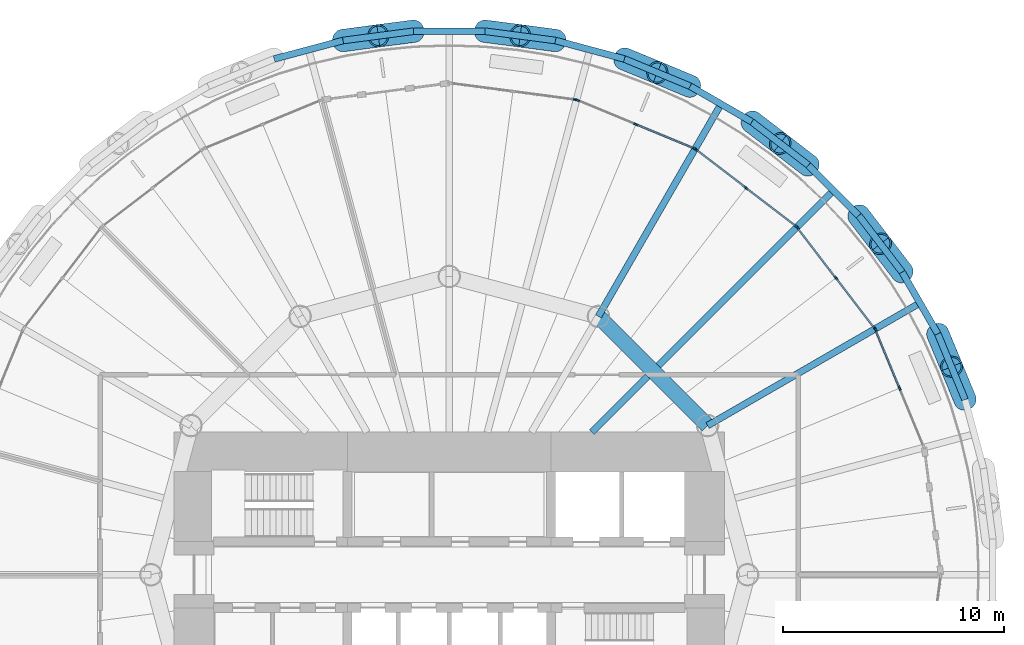
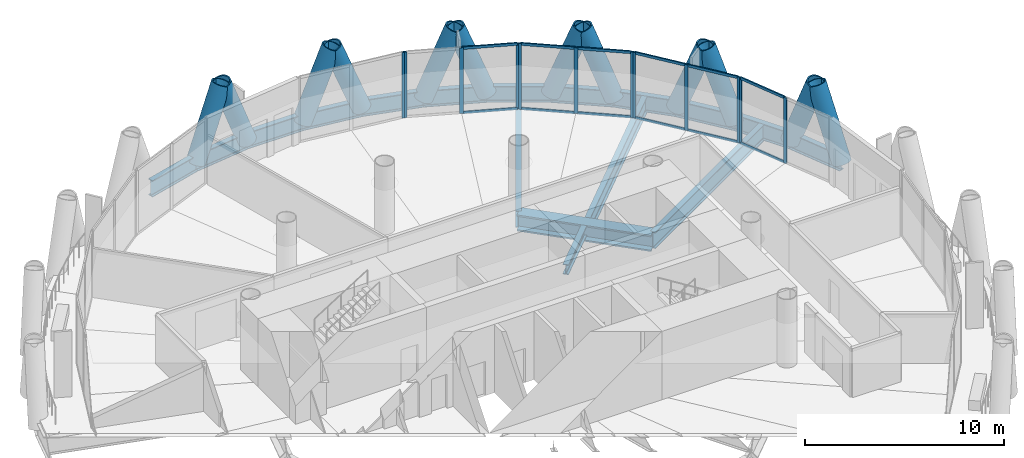
# One storey, part 7 of 15: 36 members, 17 beams, 5 elements without a shape of their own.
"""IFC4 building model written with IfcOpenShell, lengths in metres."""

from ifc_helpers import new_model, si_unit, direction, frame, origin, origin_2d, place, context, subcontext, project, spatial, rectangle, hollow_circle, i_section, extrude, material, material_profile, profile_set, type_object, element, aggregate, save


model = new_model("IFC4")

# Units and contexts
model_context = context("Model", 3, precision=1e-05, world=origin(), true_north=direction((0.0, 1.0)))
body_context = subcontext(model_context, "Body", "Model", "MODEL_VIEW")
ifc_project = project(units=[si_unit("LENGTHUNIT", "METRE"), si_unit("AREAUNIT", "SQUARE_METRE"), si_unit("VOLUMEUNIT", "CUBIC_METRE"), si_unit("PLANEANGLEUNIT", "RADIAN"), si_unit("MASSUNIT", "GRAM", prefix="KILO")], contexts=[model_context])

# Site, building, storey
site_placement = place(None, origin())
site = spatial("IfcSite", under=ifc_project, at=site_placement, CompositionType="ELEMENT")
building_placement = place(site_placement, origin())
building = spatial("IfcBuilding", under=site, at=building_placement, Name="Qaws Media Tower", CompositionType="ELEMENT")
storey_placement = place(building_placement, frame((0.0, 0.0, 164.60009765625)))
storey = spatial("IfcBuildingStorey", under=building, at=storey_placement, Name="L37", CompositionType="ELEMENT", Elevation=164.60009765625)

# Curtain wall, members
ifc_material_1 = material(Name="Aluminium and clear glass", Category="aluminium")
curtain_wall_type = type_object("IfcCurtainWallType", Name="Unitised curtain wall CW-B", PredefinedType="NOTDEFINED", material=ifc_material_1)
curtain_wall_1_placement = place(storey_placement, origin())
curtain_wall_1 = element("IfcCurtainWall", 1, at=curtain_wall_1_placement, inside=storey, type_object=curtain_wall_type, Name="CWB curtain wall L37-02", PredefinedType="NOTDEFINED")
ifc_material_2 = material(Name="Aluminium mullion", Category="aluminium")
ifc_material_profile_1 = material_profile(ifc_material_2, rectangle(XDim=0.080078125, YDim=0.199951171875, at=origin_2d()), Name="80x200")
ifc_profile_set_1 = profile_set([ifc_material_profile_1], Name="Aluminium mullion")
member_type_1 = type_object("IfcMemberType", Name="Curtain wall mullion 80x200", PredefinedType="MULLION", material=ifc_profile_set_1)
member_1_placement = place(storey_placement, frame((80.38037109375, 58.44189453125, 0.0), z_axis=(0.0, 0.0, 1.0), x_axis=(-0.923879489819, -0.382683535434, 0.0)))
member_1 = element("IfcMember", 2, at=member_1_placement, type_object=member_type_1, Name="CWB mullion 2", PredefinedType="MULLION", context=body_context, shape_type="SweptSolid", body=[
    extrude(rectangle(XDim=0.080078125, YDim=0.199951171875, at=origin_2d()), origin(), (0.0, 0.0, 1.0), 4.039794921875),
])
member_2_placement = place(storey_placement, frame((79.284423828125, 61.088134765625, 0.0), z_axis=(0.0, 0.0, 1.0), x_axis=(-0.923879489819, -0.382683535434, 0.0)))
member_2 = element("IfcMember", 3, at=member_2_placement, type_object=member_type_1, Name="CWB mullion 3", PredefinedType="MULLION", context=body_context, shape_type="SweptSolid", body=[
    extrude(rectangle(XDim=0.080078125, YDim=0.199951171875, at=origin_2d()), origin(), (0.0, 0.0, 1.0), 4.039794921875),
])

curtain_wall_2_placement = place(storey_placement, origin())
curtain_wall_2 = element("IfcCurtainWall", 4, at=curtain_wall_2_placement, inside=storey, type_object=curtain_wall_type, Name="CWB curtain wall L37-03", PredefinedType="NOTDEFINED")
member_3_placement = place(storey_placement, frame((79.24462890625, 61.15673828125, 0.0), z_axis=(0.0, 0.0, 1.0), x_axis=(-0.793353377191, -0.608761380919, 0.0)))
member_3 = element("IfcMember", 5, at=member_3_placement, type_object=member_type_1, Name="CWB mullion 1", PredefinedType="MULLION", context=body_context, shape_type="SweptSolid", body=[
    extrude(rectangle(XDim=0.080078125, YDim=0.199951171875, at=origin_2d()), origin(), (0.0, 0.0, 1.0), 4.039794921875),
])
member_4_placement = place(storey_placement, frame((77.5009765625, 63.428955078125, 0.0), z_axis=(0.0, 0.0, 1.0), x_axis=(-0.793353377191, -0.608761380919, 0.0)))
member_4 = element("IfcMember", 6, at=member_4_placement, type_object=member_type_1, Name="CWB mullion 2", PredefinedType="MULLION", context=body_context, shape_type="SweptSolid", body=[
    extrude(rectangle(XDim=0.080078125, YDim=0.199951171875, at=origin_2d()), origin(), (0.0, 0.0, 1.0), 4.039794921875),
])
member_5_placement = place(storey_placement, frame((75.757568359375, 65.701416015625, 0.0), z_axis=(0.0, 0.0, 1.0), x_axis=(-0.793353377191, -0.608761380919, 0.0)))
member_5 = element("IfcMember", 7, at=member_5_placement, type_object=member_type_1, Name="CWB mullion 3", PredefinedType="MULLION", context=body_context, shape_type="SweptSolid", body=[
    extrude(rectangle(XDim=0.080078125, YDim=0.199951171875, at=origin_2d()), origin(), (0.0, 0.0, 1.0), 4.039794921875),
])

curtain_wall_3_placement = place(storey_placement, origin())
curtain_wall_3 = element("IfcCurtainWall", 8, at=curtain_wall_3_placement, inside=storey, type_object=curtain_wall_type, Name="CWB curtain wall L37-04", PredefinedType="NOTDEFINED")
member_6_placement = place(storey_placement, frame((75.701416015625, 65.757568359375, 0.0), z_axis=(0.0, 0.0, 1.0), x_axis=(-0.608761380919, -0.793353377191, 0.0)))
member_6 = element("IfcMember", 9, at=member_6_placement, type_object=member_type_1, Name="CWB mullion 1", PredefinedType="MULLION", context=body_context, shape_type="SweptSolid", body=[
    extrude(rectangle(XDim=0.080078125, YDim=0.199951171875, at=origin_2d()), origin(), (0.0, 0.0, 1.0), 4.039794921875),
])
member_7_placement = place(storey_placement, frame((73.428955078125, 67.5009765625, 0.0), z_axis=(0.0, 0.0, 1.0), x_axis=(-0.608761380919, -0.793353377191, 0.0)))
member_7 = element("IfcMember", 10, at=member_7_placement, type_object=member_type_1, Name="CWB mullion 2", PredefinedType="MULLION", context=body_context, shape_type="SweptSolid", body=[
    extrude(rectangle(XDim=0.080078125, YDim=0.199951171875, at=origin_2d()), origin(), (0.0, 0.0, 1.0), 4.039794921875),
])
member_8_placement = place(storey_placement, frame((71.15673828125, 69.24462890625, 0.0), z_axis=(0.0, 0.0, 1.0), x_axis=(-0.608761380919, -0.793353377191, 0.0)))
member_8 = element("IfcMember", 11, at=member_8_placement, type_object=member_type_1, Name="CWB mullion 3", PredefinedType="MULLION", context=body_context, shape_type="SweptSolid", body=[
    extrude(rectangle(XDim=0.080078125, YDim=0.199951171875, at=origin_2d()), origin(), (0.0, 0.0, 1.0), 4.039794921875),
])

curtain_wall_4_placement = place(storey_placement, origin())
curtain_wall_4 = element("IfcCurtainWall", 12, at=curtain_wall_4_placement, inside=storey, type_object=curtain_wall_type, Name="CWB curtain wall L37-05", PredefinedType="NOTDEFINED")
member_9_placement = place(storey_placement, frame((71.088134765625, 69.284423828125, 0.0), z_axis=(0.0, 0.0, 1.0), x_axis=(-0.382683535434, -0.923879489819, 0.0)))
member_9 = element("IfcMember", 13, at=member_9_placement, type_object=member_type_1, Name="CWB mullion 1", PredefinedType="MULLION", context=body_context, shape_type="SweptSolid", body=[
    extrude(rectangle(XDim=0.080078125, YDim=0.199951171875, at=origin_2d()), origin(), (0.0, 0.0, 1.0), 4.039794921875),
])
member_10_placement = place(storey_placement, frame((68.44189453125, 70.38037109375, 0.0), z_axis=(0.0, 0.0, 1.0), x_axis=(-0.382683535434, -0.923879489819, 0.0)))
member_10 = element("IfcMember", 14, at=member_10_placement, type_object=member_type_1, Name="CWB mullion 2", PredefinedType="MULLION", context=body_context, shape_type="SweptSolid", body=[
    extrude(rectangle(XDim=0.080078125, YDim=0.199951171875, at=origin_2d()), origin(), (0.0, 0.0, 1.0), 4.039794921875),
])
member_11_placement = place(storey_placement, frame((65.795654296875, 71.4765625, 0.0), z_axis=(0.0, 0.0, 1.0), x_axis=(-0.382683535434, -0.923879489819, 0.0)))
member_11 = element("IfcMember", 15, at=member_11_placement, type_object=member_type_1, Name="CWB mullion 3", PredefinedType="MULLION", context=body_context, shape_type="SweptSolid", body=[
    extrude(rectangle(XDim=0.080078125, YDim=0.199951171875, at=origin_2d()), origin(), (0.0, 0.0, 1.0), 4.039794921875),
])

# Curtain wall, member
curtain_wall_5_placement = place(storey_placement, origin())
curtain_wall_5 = element("IfcCurtainWall", 16, at=curtain_wall_5_placement, inside=storey, type_object=curtain_wall_type, Name="CWB curtain wall L37-06", PredefinedType="NOTDEFINED")
member_12_placement = place(storey_placement, frame((65.718994140625, 71.4970703125, 0.0), z_axis=(0.0, 0.0, 1.0), x_axis=(-0.130526124942, -0.991444870231, 0.0)))
member_12 = element("IfcMember", 17, at=member_12_placement, type_object=member_type_1, Name="CWB mullion 1", PredefinedType="MULLION", context=body_context, shape_type="SweptSolid", body=[
    extrude(rectangle(XDim=0.080078125, YDim=0.199951171875, at=origin_2d()), origin(), (0.0, 0.0, 1.0), 4.039794921875),
])
aggregate(curtain_wall_5, [member_12])

# Member
ifc_material_3 = material(Name="Aluminium transom", Category="aluminium")
ifc_material_profile_2 = material_profile(ifc_material_3, rectangle(XDim=0.080078125, YDim=0.159912109375, at=origin_2d()), Name="80x160")
ifc_profile_set_2 = profile_set([ifc_material_profile_2], Name="Aluminium transom")
member_type_2 = type_object("IfcMemberType", Name="Curtain wall transom 80x160", PredefinedType="USERDEFINED", material=ifc_profile_set_2)
member_13_placement = place(storey_placement, frame((80.365234375, 58.478759765625, 0.039794921875), z_axis=(-0.382746742657, 0.923853305988, 0.0), x_axis=(-0.923853305988, -0.382746742657, 0.0)))
member_13 = element("IfcMember", 18, at=member_13_placement, type_object=member_type_2, Name="CWB transom 2.1", ObjectType="TRANSOM", PredefinedType="USERDEFINED", context=body_context, shape_type="SweptSolid", body=[
    extrude(rectangle(XDim=0.080078125, YDim=0.159912109375, at=origin_2d()), origin(), (0.0, 0.0, 1.0), 2.7841796875),
])

member_14_placement = place(storey_placement, frame((80.365234375, 58.478759765625, 4.0), z_axis=(-0.382746742657, 0.923853305988, 0.0), x_axis=(-0.923853305988, -0.382746742657, 0.0)))
member_14 = element("IfcMember", 19, at=member_14_placement, type_object=member_type_2, Name="CWB transom 2.2", ObjectType="TRANSOM", PredefinedType="USERDEFINED", context=body_context, shape_type="SweptSolid", body=[
    extrude(rectangle(XDim=0.080078125, YDim=0.159912109375, at=origin_2d()), origin(), (0.0, 0.0, 1.0), 2.7841796875),
])

aggregate(curtain_wall_1, [member_1, member_2, member_13, member_14])

member_15_placement = place(storey_placement, frame((79.220458984375, 61.1884765625, 0.039794921875), z_axis=(-0.608816218373, 0.793311295927, 0.0), x_axis=(-0.793311295927, -0.608816218373, 0.0)))
member_15 = element("IfcMember", 20, at=member_15_placement, type_object=member_type_2, Name="CWB transom 1.1", ObjectType="TRANSOM", PredefinedType="USERDEFINED", context=body_context, shape_type="SweptSolid", body=[
    extrude(rectangle(XDim=0.080078125, YDim=0.159912109375, at=origin_2d()), origin(), (0.0, 0.0, 1.0), 2.7841796875),
])

member_16_placement = place(storey_placement, frame((79.220458984375, 61.1884765625, 4.0), z_axis=(-0.608816218373, 0.793311295927, 0.0), x_axis=(-0.793311295927, -0.608816218373, 0.0)))
member_16 = element("IfcMember", 21, at=member_16_placement, type_object=member_type_2, Name="CWB transom 1.2", ObjectType="TRANSOM", PredefinedType="USERDEFINED", context=body_context, shape_type="SweptSolid", body=[
    extrude(rectangle(XDim=0.080078125, YDim=0.159912109375, at=origin_2d()), origin(), (0.0, 0.0, 1.0), 2.7841796875),
])

member_17_placement = place(storey_placement, frame((77.476806640625, 63.460693359375, 0.039794921875), z_axis=(-0.608773868942, 0.79334379464, 0.0), x_axis=(-0.79334379464, -0.608773868942, 0.0)))
member_17 = element("IfcMember", 22, at=member_17_placement, type_object=member_type_2, Name="CWB transom 2.1", ObjectType="TRANSOM", PredefinedType="USERDEFINED", context=body_context, shape_type="SweptSolid", body=[
    extrude(rectangle(XDim=0.080078125, YDim=0.159912109375, at=origin_2d()), origin(), (0.0, 0.0, 1.0), 2.784423828125),
])

member_18_placement = place(storey_placement, frame((77.476806640625, 63.460693359375, 4.0), z_axis=(-0.608773868942, 0.79334379464, 0.0), x_axis=(-0.79334379464, -0.608773868942, 0.0)))
member_18 = element("IfcMember", 23, at=member_18_placement, type_object=member_type_2, Name="CWB transom 2.2", ObjectType="TRANSOM", PredefinedType="USERDEFINED", context=body_context, shape_type="SweptSolid", body=[
    extrude(rectangle(XDim=0.080078125, YDim=0.159912109375, at=origin_2d()), origin(), (0.0, 0.0, 1.0), 2.784423828125),
])

aggregate(curtain_wall_2, [member_3, member_4, member_5, member_15, member_16, member_17, member_18])

member_19_placement = place(storey_placement, frame((75.669677734375, 65.78173828125, 0.039794921875), z_axis=(-0.79334379464, 0.608773868942, 0.0), x_axis=(-0.608773868942, -0.79334379464, 0.0)))
member_19 = element("IfcMember", 24, at=member_19_placement, type_object=member_type_2, Name="CWB transom 1.1", ObjectType="TRANSOM", PredefinedType="USERDEFINED", context=body_context, shape_type="SweptSolid", body=[
    extrude(rectangle(XDim=0.080078125, YDim=0.159912109375, at=origin_2d()), origin(), (0.0, 0.0, 1.0), 2.784423828125),
])

member_20_placement = place(storey_placement, frame((75.669677734375, 65.78173828125, 4.0), z_axis=(-0.79334379464, 0.608773868942, 0.0), x_axis=(-0.608773868942, -0.79334379464, 0.0)))
member_20 = element("IfcMember", 25, at=member_20_placement, type_object=member_type_2, Name="CWB transom 1.2", ObjectType="TRANSOM", PredefinedType="USERDEFINED", context=body_context, shape_type="SweptSolid", body=[
    extrude(rectangle(XDim=0.080078125, YDim=0.159912109375, at=origin_2d()), origin(), (0.0, 0.0, 1.0), 2.784423828125),
])

member_21_placement = place(storey_placement, frame((73.397216796875, 67.525390625, 0.039794921875), z_axis=(-0.793311295927, 0.608816218373, 0.0), x_axis=(-0.608816218373, -0.793311295927, 0.0)))
member_21 = element("IfcMember", 26, at=member_21_placement, type_object=member_type_2, Name="CWB transom 2.1", ObjectType="TRANSOM", PredefinedType="USERDEFINED", context=body_context, shape_type="SweptSolid", body=[
    extrude(rectangle(XDim=0.080078125, YDim=0.159912109375, at=origin_2d()), origin(), (0.0, 0.0, 1.0), 2.7841796875),
])

member_22_placement = place(storey_placement, frame((73.397216796875, 67.525390625, 4.0), z_axis=(-0.793311295927, 0.608816218373, 0.0), x_axis=(-0.608816218373, -0.793311295927, 0.0)))
member_22 = element("IfcMember", 27, at=member_22_placement, type_object=member_type_2, Name="CWB transom 2.2", ObjectType="TRANSOM", PredefinedType="USERDEFINED", context=body_context, shape_type="SweptSolid", body=[
    extrude(rectangle(XDim=0.080078125, YDim=0.159912109375, at=origin_2d()), origin(), (0.0, 0.0, 1.0), 2.7841796875),
])

aggregate(curtain_wall_3, [member_6, member_7, member_8, member_19, member_20, member_21, member_22])

member_23_placement = place(storey_placement, frame((71.051025390625, 69.299560546875, 0.039794921875), z_axis=(-0.923853305988, 0.382746742657, 0.0), x_axis=(-0.382746742657, -0.923853305988, 0.0)))
member_23 = element("IfcMember", 28, at=member_23_placement, type_object=member_type_2, Name="CWB transom 1.1", ObjectType="TRANSOM", PredefinedType="USERDEFINED", context=body_context, shape_type="SweptSolid", body=[
    extrude(rectangle(XDim=0.080078125, YDim=0.159912109375, at=origin_2d()), origin(), (0.0, 0.0, 1.0), 2.7841796875),
])

member_24_placement = place(storey_placement, frame((71.051025390625, 69.299560546875, 4.0), z_axis=(-0.923853305988, 0.382746742657, 0.0), x_axis=(-0.382746742657, -0.923853305988, 0.0)))
member_24 = element("IfcMember", 29, at=member_24_placement, type_object=member_type_2, Name="CWB transom 1.2", ObjectType="TRANSOM", PredefinedType="USERDEFINED", context=body_context, shape_type="SweptSolid", body=[
    extrude(rectangle(XDim=0.080078125, YDim=0.159912109375, at=origin_2d()), origin(), (0.0, 0.0, 1.0), 2.7841796875),
])

aggregate(curtain_wall_4, [member_9, member_10, member_11, member_23, member_24])

# Members
ifc_material_4 = material(Name="Steel S460", Category="steel")
ifc_material_profile_3 = material_profile(ifc_material_4, hollow_circle(Radius=0.508056640625, WallThickness=0.070068359375, at=origin_2d()), Name="CHS 1016x70")
ifc_profile_set_3 = profile_set([ifc_material_profile_3], Name="Steel S460")
member_type_3 = type_object("IfcMemberType", Name="Diagrid member CHS 1016x70", PredefinedType="USERDEFINED", material=ifc_profile_set_3)
for number, where, z_axis, x_axis, name in (
    (30, (83.341796875, 57.923583984375, -0.6640625), (-0.136540752856, 0.3313121209, 0.933589257304), (-0.924562008654, -0.381031615688, 0.0), "DG3 diagrid L37 A02"),
    (31, (80.49560546875, 63.69482421875, -0.6640625), (-0.21761882159, 0.28469534615, 0.933590171526), (-0.794478179438, -0.607292699113, 0.0), "DG3 diagrid L37 A03"),
    (32, (82.10791015625, 60.90234375, -0.6640625), (0.137734390717, -0.330823028294, 0.933587361506), (0.923184419081, 0.38435729259, 0.0), "DG3 diagrid L37 B03"),
    (33, (76.2529296875, 68.532958984375, -0.6640625), (-0.283933050557, 0.218647985607, 0.933581855646), (-0.610127823764, -0.792302996756, 0.0), "DG3 diagrid L37 A04"),
    (34, (78.532958984375, 66.2529296875, -0.6640625), (0.218647985607, -0.283933050557, 0.933581855646), (0.792302996756, 0.610127823764, 0.0), "DG3 diagrid L37 B04"),
    (35, (70.90234375, 72.10791015625, -0.6640625), (-0.330823028294, 0.137734390717, 0.933587361506), (-0.38435729259, -0.923184419081, 0.0), "DG3 diagrid L37 A05"),
    (36, (73.69482421875, 70.49560546875, -0.6640625), (0.28469534615, -0.21761882159, 0.933590171526), (0.607292699113, 0.794478179438, 0.0), "DG3 diagrid L37 B05"),
    (37, (64.80908203125, 74.17626953125, -0.6640625), (-0.355238091749, 0.047430200457, 0.933571783129), (-0.132342249656, -0.991204080377, 0.0), "DG3 diagrid L37 A06"),
    (38, (67.923583984375, 73.341796875, -0.6640625), (0.3313121209, -0.136540752856, 0.933589257304), (0.381031615688, 0.924562008654, 0.0), "DG3 diagrid L37 B06"),
    (39, (58.3876953125, 74.59716796875, -0.6640625), (-0.355354575065, -0.046128800978, 0.933592662621), (0.128730553852, -0.991679607789, 0.0), "DG3 diagrid L37 A07"),
    (40, (61.6123046875, 74.59716796875, -0.6640625), (0.355354575065, -0.046128800978, 0.933592662621), (0.128730553852, 0.991679607789, 0.0), "DG3 diagrid L37 B07"),
    (41, (55.19091796875, 74.17626953125, -0.6640625), (0.355238091749, 0.047430200457, 0.933571783129), (-0.132342249656, 0.991204080377, 0.0), "DG3 diagrid L37 B08"),
):
    element("IfcMember", number, at=place(storey_placement, frame(where, z_axis=z_axis, x_axis=x_axis)), inside=storey, type_object=member_type_3, Name=name, ObjectType="DIAGRID", PredefinedType="USERDEFINED", context=body_context, shape_type="SweptSolid", body=[
        extrude(hollow_circle(Radius=0.508056640625, WallThickness=0.070068359375, at=origin_2d()), origin(), (0.0, 0.0, 1.0), 4.498779296875),
    ])

# Beams
ifc_material_5 = material(Name="Steel S460", Category="steel")
ifc_material_profile_4 = material_profile(ifc_material_5, i_section(OverallWidth=0.302001953125, OverallDepth=1.008056640625, WebThickness=0.02099609375, FlangeThickness=0.0400390625, FilletRadius=0.030029296875, at=origin_2d()), Name="HE 1000 M")
ifc_profile_set_4 = profile_set([ifc_material_profile_4], Name="Steel S460")
beam_type_1 = type_object("IfcBeamType", Name="Edge ring beam HE 1000 M", PredefinedType="BEAM", material=ifc_profile_set_4)
beam_1_placement = place(storey_placement, frame((83.341796875, 57.923583984375, -0.6640625), z_axis=(-0.382695087151, 0.923874704855, 0.0), x_axis=(-0.923874704855, -0.382695087151, 0.0)))
element("IfcBeam", 42, at=beam_1_placement, inside=storey, type_object=beam_type_1, Name="RB3 edge ring beam L37-03", PredefinedType="BEAM", context=body_context, shape_type="SweptSolid", body=[
    extrude(i_section(OverallWidth=0.302001953125, OverallDepth=1.008056640625, WebThickness=0.02099609375, FlangeThickness=0.0400390625, FilletRadius=0.030029296875, at=origin_2d()), origin(), (0.0, 0.0, 1.0), 3.22412109375),
])
beam_2_placement = place(storey_placement, frame((82.10791015625, 60.90234375, -0.6640625), z_axis=(-0.500015196914, 0.866016629664, 0.0), x_axis=(-0.866016629664, -0.500015196914, 0.0)))
element("IfcBeam", 43, at=beam_2_placement, inside=storey, type_object=beam_type_1, Name="RB3 edge ring beam L37-04", PredefinedType="BEAM", context=body_context, shape_type="SweptSolid", body=[
    extrude(i_section(OverallWidth=0.302001953125, OverallDepth=1.008056640625, WebThickness=0.02099609375, FlangeThickness=0.0400390625, FilletRadius=0.030029296875, at=origin_2d()), origin(), (0.0, 0.0, 1.0), 3.224609375),
])
for number, where, z_axis, x_axis, name in (
    (44, (80.49560546875, 63.69482421875, -0.6640625), (-0.608711282209, 0.793391816766, 0.0), (-0.793391816766, -0.608711282209, 0.0), "RB3 edge ring beam L37-05"),
    (45, (78.532958984375, 66.2529296875, -0.6640625), (-0.707106781187, 0.707106781187, 0.0), (-0.707106781187, -0.707106781187, 0.0), "RB3 edge ring beam L37-06"),
    (46, (76.2529296875, 68.532958984375, -0.6640625), (-0.793391816766, 0.608711282209, 0.0), (-0.608711282209, -0.793391816766, 0.0), "RB3 edge ring beam L37-07"),
):
    element("IfcBeam", number, at=place(storey_placement, frame(where, z_axis=z_axis, x_axis=x_axis)), inside=storey, type_object=beam_type_1, Name=name, PredefinedType="BEAM", context=body_context, shape_type="SweptSolid", body=[
        extrude(i_section(OverallWidth=0.302001953125, OverallDepth=1.008056640625, WebThickness=0.02099609375, FlangeThickness=0.0400390625, FilletRadius=0.030029296875, at=origin_2d()), origin(), (0.0, 0.0, 1.0), 3.224365234375),
    ])
beam_3_placement = place(storey_placement, frame((73.69482421875, 70.49560546875, -0.6640625), z_axis=(-0.866016629664, 0.500015196914, 0.0), x_axis=(-0.500015196914, -0.866016629664, 0.0)))
element("IfcBeam", 47, at=beam_3_placement, inside=storey, type_object=beam_type_1, Name="RB3 edge ring beam L37-08", PredefinedType="BEAM", context=body_context, shape_type="SweptSolid", body=[
    extrude(i_section(OverallWidth=0.302001953125, OverallDepth=1.008056640625, WebThickness=0.02099609375, FlangeThickness=0.0400390625, FilletRadius=0.030029296875, at=origin_2d()), origin(), (0.0, 0.0, 1.0), 3.224609375),
])
beam_4_placement = place(storey_placement, frame((70.90234375, 72.10791015625, -0.6640625), z_axis=(-0.923874704855, 0.382695087151, 0.0), x_axis=(-0.382695087151, -0.923874704855, 0.0)))
element("IfcBeam", 48, at=beam_4_placement, inside=storey, type_object=beam_type_1, Name="RB3 edge ring beam L37-09", PredefinedType="BEAM", context=body_context, shape_type="SweptSolid", body=[
    extrude(i_section(OverallWidth=0.302001953125, OverallDepth=1.008056640625, WebThickness=0.02099609375, FlangeThickness=0.0400390625, FilletRadius=0.030029296875, at=origin_2d()), origin(), (0.0, 0.0, 1.0), 3.22412109375),
])
for number, where, z_axis, x_axis, name in (
    (49, (67.923583984375, 73.341796875, -0.6640625), (-0.965930139181, 0.258802948634, 0.0), (-0.258802948634, -0.965930139181, 0.0), "RB3 edge ring beam L37-10"),
    (50, (64.80908203125, 74.17626953125, -0.6640625), (-0.991443467997, 0.130536775533, 0.0), (-0.130536775533, -0.991443467997, 0.0), "RB3 edge ring beam L37-11"),
):
    element("IfcBeam", number, at=place(storey_placement, frame(where, z_axis=z_axis, x_axis=x_axis)), inside=storey, type_object=beam_type_1, Name=name, PredefinedType="BEAM", context=body_context, shape_type="SweptSolid", body=[
        extrude(i_section(OverallWidth=0.302001953125, OverallDepth=1.008056640625, WebThickness=0.02099609375, FlangeThickness=0.0400390625, FilletRadius=0.030029296875, at=origin_2d()), origin(), (0.0, 0.0, 1.0), 3.224365234375),
    ])
beam_5_placement = place(storey_placement, frame((61.6123046875, 74.59716796875, -0.6640625), z_axis=(-1.0, 0.0, 0.0), x_axis=(0.0, -1.0, 0.0)))
element("IfcBeam", 51, at=beam_5_placement, inside=storey, type_object=beam_type_1, Name="RB3 edge ring beam L37-12", PredefinedType="BEAM", context=body_context, shape_type="SweptSolid", body=[
    extrude(i_section(OverallWidth=0.302001953125, OverallDepth=1.008056640625, WebThickness=0.02099609375, FlangeThickness=0.0400390625, FilletRadius=0.030029296875, at=origin_2d()), origin(), (0.0, 0.0, 1.0), 3.224609375),
])
for number, where, z_axis, x_axis, name in (
    (52, (58.3876953125, 74.59716796875, -0.6640625), (-0.991443467997, -0.130536775533, 0.0), (0.130536775533, -0.991443467997, 0.0), "RB3 edge ring beam L37-13"),
    (53, (55.19091796875, 74.17626953125, -0.6640625), (-0.965930139181, -0.258802948634, 0.0), (0.258802948634, -0.965930139181, 0.0), "RB3 edge ring beam L37-14"),
):
    element("IfcBeam", number, at=place(storey_placement, frame(where, z_axis=z_axis, x_axis=x_axis)), inside=storey, type_object=beam_type_1, Name=name, PredefinedType="BEAM", context=body_context, shape_type="SweptSolid", body=[
        extrude(i_section(OverallWidth=0.302001953125, OverallDepth=1.008056640625, WebThickness=0.02099609375, FlangeThickness=0.0400390625, FilletRadius=0.030029296875, at=origin_2d()), origin(), (0.0, 0.0, 1.0), 3.224365234375),
    ])
ifc_material_6 = material(Name="Steel S460", Category="steel")
ifc_material_profile_5 = material_profile(ifc_material_6, i_section(OverallWidth=0.699951171875, OverallDepth=1.0, WebThickness=0.034912109375, FlangeThickness=0.090087890625, at=origin_2d()), Name="PG 1000x700")
ifc_profile_set_5 = profile_set([ifc_material_profile_5], Name="Steel S460")
beam_type_2 = type_object("IfcBeamType", Name="Inner ring girder PG 1000x700", PredefinedType="BEAM", material=ifc_profile_set_5)
beam_6_placement = place(storey_placement, frame((71.69140625, 56.75, -0.66015625), z_axis=(-0.707106781187, 0.707106781187, 0.0), x_axis=(-0.707106781187, -0.707106781187, 0.0)))
element("IfcBeam", 54, at=beam_6_placement, inside=storey, type_object=beam_type_2, Name="B3 inner ring beam L37 I02-I03", PredefinedType="BEAM", context=body_context, shape_type="SweptSolid", body=[
    extrude(i_section(OverallWidth=0.699951171875, OverallDepth=1.0, WebThickness=0.034912109375, FlangeThickness=0.090087890625, at=origin_2d()), origin(), (0.0, 0.0, 1.0), 6.98828125),
])
ifc_material_7 = material(Name="Steel S355", Category="steel")
ifc_material_profile_6 = material_profile(ifc_material_7, i_section(OverallWidth=0.302001953125, OverallDepth=1.008056640625, WebThickness=0.02099609375, FlangeThickness=0.0400390625, FilletRadius=0.030029296875, at=origin_2d()), Name="HE 1000 M")
ifc_profile_set_6 = profile_set([ifc_material_profile_6], Name="Steel S355")
beam_type_3 = type_object("IfcBeamType", Name="Radial beam HE 1000 M", PredefinedType="BEAM", material=ifc_profile_set_6)
beam_7_placement = place(storey_placement, frame((71.69140625, 56.75, -0.6640625), z_axis=(0.866023650878, 0.500003036112, 0.0), x_axis=(-0.500003036112, 0.866023650878, 0.0)))
element("IfcBeam", 55, at=beam_7_placement, inside=storey, type_object=beam_type_3, Name="B1 radial beam L37 03", PredefinedType="BEAM", context=body_context, shape_type="SweptSolid", body=[
    extrude(i_section(OverallWidth=0.302001953125, OverallDepth=1.008056640625, WebThickness=0.02099609375, FlangeThickness=0.0400390625, FilletRadius=0.030029296875, at=origin_2d()), origin(), (0.0, 0.0, 1.0), 11.09716796875),
])
beam_8_placement = place(storey_placement, frame((69.46826171875, 59.46826171875, -0.6640625), z_axis=(0.707106781187, 0.707106781187, 0.0), x_axis=(-0.707106781187, 0.707106781187, 0.0)))
element("IfcBeam", 56, at=beam_8_placement, inside=storey, type_object=beam_type_3, Name="B1 radial beam L37 04", PredefinedType="BEAM", context=body_context, shape_type="SweptSolid", body=[
    extrude(i_section(OverallWidth=0.302001953125, OverallDepth=1.008056640625, WebThickness=0.02099609375, FlangeThickness=0.0400390625, FilletRadius=0.030029296875, at=origin_2d()), origin(), (0.0, 0.0, 1.0), 11.20703125),
])
beam_9_placement = place(storey_placement, frame((66.75, 61.69140625, -0.6640625), z_axis=(0.500003036112, 0.866023650878, 0.0), x_axis=(-0.866023650878, 0.500003036112, 0.0)))
element("IfcBeam", 57, at=beam_9_placement, inside=storey, type_object=beam_type_3, Name="B1 radial beam L37 05", PredefinedType="BEAM", context=body_context, shape_type="SweptSolid", body=[
    extrude(i_section(OverallWidth=0.302001953125, OverallDepth=1.008056640625, WebThickness=0.02099609375, FlangeThickness=0.0400390625, FilletRadius=0.030029296875, at=origin_2d()), origin(), (0.0, 0.0, 1.0), 11.09716796875),
])
ifc_material_8 = material(Name="Steel S355", Category="steel")
ifc_material_profile_7 = material_profile(ifc_material_8, i_section(OverallWidth=0.304931640625, OverallDepth=0.6201171875, WebThickness=0.02099609375, FlangeThickness=0.0400390625, FilletRadius=0.027099609375, at=origin_2d()), Name="HE 600 M")
ifc_profile_set_7 = profile_set([ifc_material_profile_7], Name="Steel S355")
beam_type_4 = type_object("IfcBeamType", Name="Radial beam HE 600 M, core side", PredefinedType="BEAM", material=ifc_profile_set_7)
beam_10_placement = place(storey_placement, frame((66.449951171875, 56.449951171875, -0.47021484375), z_axis=(0.707106781187, 0.707106781187, 0.0), x_axis=(-0.707106781187, 0.707106781187, 0.0)))
element("IfcBeam", 58, at=beam_10_placement, inside=storey, type_object=beam_type_4, Name="B2 radial beam L37 04", PredefinedType="BEAM", context=body_context, shape_type="SweptSolid", body=[
    extrude(i_section(OverallWidth=0.304931640625, OverallDepth=0.6201171875, WebThickness=0.02099609375, FlangeThickness=0.0400390625, FilletRadius=0.027099609375, at=origin_2d()), origin(), (0.0, 0.0, 1.0), 3.568359375),
])

save(model, "model.ifc")
